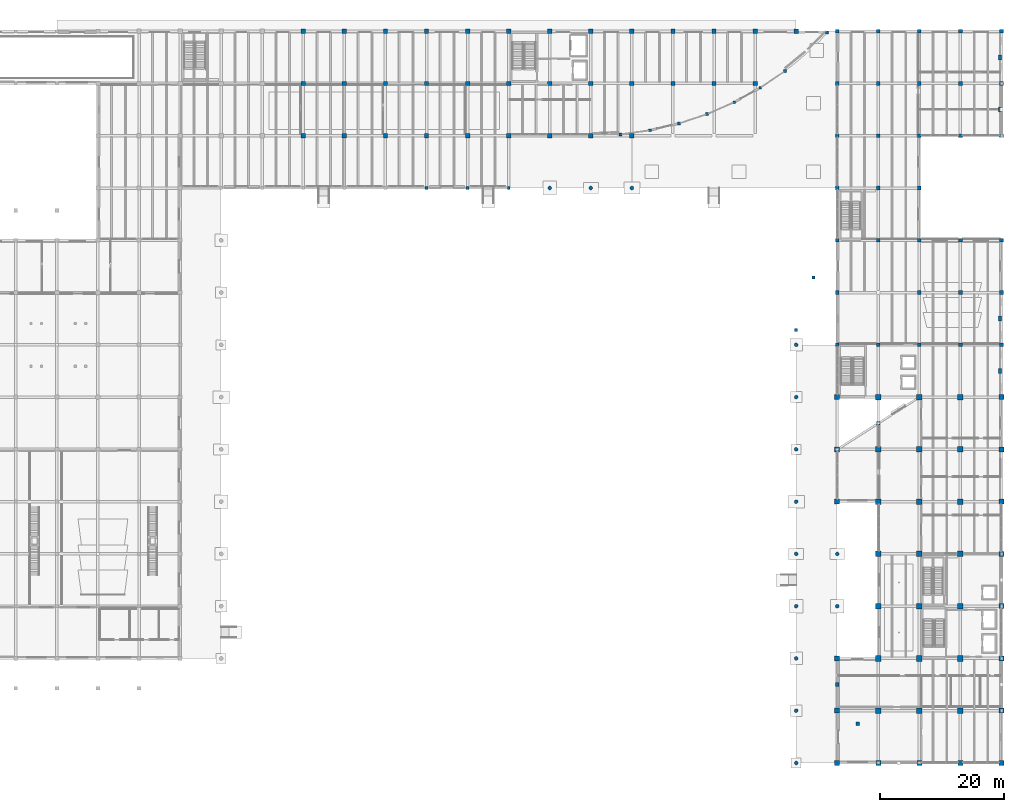
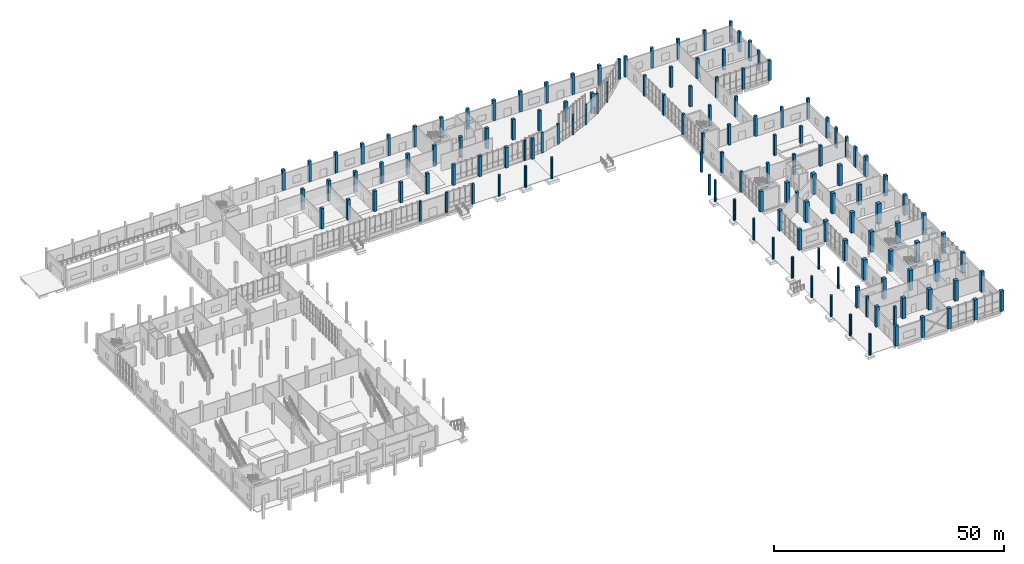
# One storey, part 3 of 64: 138 columns.
"""IFC4 building model written with IfcOpenShell, lengths in metres."""

from ifc_helpers import new_model, si_unit, direction, frame, origin, origin_2d, place, context, subcontext, project, spatial, rectangle, circle, extrude, material, material_profile, profile_set, type_object, element, save


model = new_model("IFC4")

# Units and contexts
model_context = context("Model", 3, precision=1e-05, world=origin(), true_north=direction((0.0, 1.0)))
body_context = subcontext(model_context, "Body", "Model", "MODEL_VIEW")
ifc_project = project(units=[si_unit("LENGTHUNIT", "METRE"), si_unit("AREAUNIT", "SQUARE_METRE"), si_unit("VOLUMEUNIT", "CUBIC_METRE"), si_unit("PLANEANGLEUNIT", "RADIAN"), si_unit("MASSUNIT", "GRAM", prefix="KILO")], contexts=[model_context])

# Site, building, storey
site_placement = place(None, origin())
site = spatial("IfcSite", under=ifc_project, at=site_placement, CompositionType="ELEMENT")
building_placement = place(site_placement, origin())
building = spatial("IfcBuilding", under=site, at=building_placement, Name="Qaldarim Faculty of Natural and Applied Sciences", CompositionType="ELEMENT")
storey_placement = place(building_placement, origin())
storey = spatial("IfcBuildingStorey", under=building, at=storey_placement, Name="L00", CompositionType="ELEMENT", Elevation=0.0)

# Columns
ifc_material_1 = material(Name="Concrete C40/50", Category="concrete")
ifc_material_profile_1 = material_profile(ifc_material_1, circle(Radius=0.300048828125, at=origin_2d()), Name="RC-D600")
ifc_profile_set_1 = profile_set([ifc_material_profile_1], Name="Concrete C40/50")
column_type_1 = type_object("IfcColumnType", Name="ColonnadePier-RCD600", PredefinedType="COLUMN", material=ifc_profile_set_1)
for number, where, z_axis, x_axis, name in (
    (1, (105.60009765625, 92.39990234375, -0.199951171875), (0.0, 0.0, 1.0), (1.0, 0.0, 0.0), "Column X17/Y12 L00"),
    (2, (112.199951171875, 92.39990234375, -0.199951171875), (0.0, 0.0, 1.0), (1.0, 0.0, 0.0), "Column X18/Y12 L00"),
    (3, (118.800048828125, 92.39990234375, -0.199951171875), (0.0, 0.0, 1.0), (1.0, 0.0, 0.0), "Column X19/Y12 L00"),
    (4, (145.199951171875, 0.0, -0.199951171875), (0.0, 0.0, 1.0), (1.0, 0.0, 0.0), "Column X23/Y01 L00"),
    (5, (145.199951171875, 8.39990234375, -0.199951171875), (0.0, 0.0, 1.0), (1.0, 0.0, 0.0), "Column X23/Y02 L00"),
    (6, (145.199951171875, 16.800048828125, -0.199951171875), (0.0, 0.0, 1.0), (1.0, 0.0, 0.0), "Column X23/Y03 L00"),
    (7, (145.199951171875, 25.199951171875, -0.199951171875), (0.0, 0.0, 1.0), (1.0, 0.0, 0.0), "Column X23/Y04 L00"),
    (8, (145.199951171875, 33.60009765625, -0.199951171875), (0.0, 0.0, 1.0), (1.0, 0.0, 0.0), "Column X23/Y05 L00"),
    (9, (145.199951171875, 42.0, -0.199951171875), (0.0, 0.0, 1.0), (1.0, 0.0, 0.0), "Column X23/Y06 L00"),
    (10, (145.199951171875, 50.39990234375, -0.199951171875), (0.0, 0.0, 1.0), (1.0, 0.0, 0.0), "Column X23/Y07 L00"),
    (11, (145.199951171875, 58.800048828125, -0.199951171875), (0.0, 0.0, 1.0), (1.0, 0.0, 0.0), "Column X23/Y08 L00"),
    (12, (145.199951171875, 67.199951171875, -0.199951171875), (0.0, 0.0, 1.0), (1.0, 0.0, 0.0), "Column X23/Y09 L00"),
    (13, (151.800048828125, 25.199951171875, -0.199951171875), (0.0, 0.0, 1.0), (1.0, 0.0, 0.0), "Column X24/Y04 L00"),
    (14, (151.800048828125, 33.60009765625, -0.199951171875), (0.0, 0.0, 1.0), (1.0, 0.0, 0.0), "Column X24/Y05 L00"),
):
    element("IfcColumn", number, at=place(storey_placement, frame(where, z_axis=z_axis, x_axis=x_axis)), inside=storey, type_object=column_type_1, Name=name, PredefinedType="COLUMN", context=body_context, shape_type="SweptSolid", body=[
        extrude(circle(Radius=0.300048828125, at=origin_2d()), origin(), (0.0, 0.0, 1.0), 5.599853515625),
    ])
ifc_material_profile_2 = material_profile(ifc_material_1, rectangle(XDim=0.449951171875, YDim=0.449951171875, at=origin_2d()), Name="RC-C450x450")
ifc_profile_set_2 = profile_set([ifc_material_profile_2], Name="Concrete C40/50")
column_type_2 = type_object("IfcColumnType", Name="Column-RC450x450", PredefinedType="COLUMN", material=ifc_profile_set_2)
for number, where, z_axis, x_axis, name in (
    (15, (85.800048828125, 92.39990234375, 0.0), (0.0, 0.0, 1.0), (1.0, 0.0, 0.0), "Column X14/Y12 L00"),
    (16, (92.39990234375, 92.39990234375, 0.0), (0.0, 0.0, 1.0), (1.0, 0.0, 0.0), "Column X15/Y12 L00"),
    (17, (99.0, 92.39990234375, 0.0), (0.0, 0.0, 1.0), (1.0, 0.0, 0.0), "Column X16/Y12 L00"),
    (18, (150.14990234375, 117.375, 0.0), (0.0, 0.0, 1.0), (1.0, 0.0, 0.0), "Special structural column V4-NE L00"),
    (19, (116.97509765625, 101.02001953125, 0.0), (0.0, 0.0, 1.0), (1.0, 0.0, 0.0), "Arched portal lower column 02"),
    (20, (121.705078125, 101.675048828125, 0.0), (0.0, 0.0, 1.0), (1.0, 0.0, 0.0), "Arched portal lower column 04"),
    (21, (126.360107421875, 102.764892578125, 0.0), (0.0, 0.0, 1.0), (1.0, 0.0, 0.0), "Arched portal lower column 06"),
    (22, (130.889892578125, 104.27490234375, 0.0), (0.0, 0.0, 1.0), (1.0, 0.0, 0.0), "Arched portal lower column 08"),
    (23, (135.264892578125, 106.195068359375, 0.0), (0.0, 0.0, 1.0), (1.0, 0.0, 0.0), "Arched portal lower column 10"),
    (24, (139.445068359375, 108.510009765625, 0.0), (0.0, 0.0, 1.0), (1.0, 0.0, 0.0), "Arched portal lower column 12"),
    (25, (143.39501953125, 111.195068359375, 0.0), (0.0, 0.0, 1.0), (1.0, 0.0, 0.0), "Arched portal lower column 14"),
):
    element("IfcColumn", number, at=place(storey_placement, frame(where, z_axis=z_axis, x_axis=x_axis)), inside=storey, type_object=column_type_2, Name=name, PredefinedType="COLUMN", context=body_context, shape_type="SweptSolid", body=[
        extrude(rectangle(XDim=0.449951171875, YDim=0.449951171875, at=origin_2d()), origin(), (0.0, 0.0, 1.0), 5.39990234375),
    ])
ifc_material_2 = material(Name="Concrete C50/60", Category="concrete")
ifc_material_profile_3 = material_profile(ifc_material_2, rectangle(XDim=0.5, YDim=0.5, at=origin_2d()), Name="RC-C500x500")
ifc_profile_set_3 = profile_set([ifc_material_profile_3], Name="Concrete C50/60")
column_type_3 = type_object("IfcColumnType", Name="Column-RC500x500", PredefinedType="COLUMN", material=ifc_profile_set_3)
for number, where, z_axis, x_axis, name in (
    (26, (145.199951171875, 69.60009765625, 0.0), (0.0, 0.0, 1.0), (1.0, 0.0, 0.0), "Special structural column V3-PRW-S L00"),
    (27, (148.0, 78.0, 0.0), (0.0, 0.0, 1.0), (1.0, 0.0, 0.0), "Special structural column V3-PRW-N L00"),
):
    element("IfcColumn", number, at=place(storey_placement, frame(where, z_axis=z_axis, x_axis=x_axis)), inside=storey, type_object=column_type_3, Name=name, PredefinedType="COLUMN", context=body_context, shape_type="SweptSolid", body=[
        extrude(rectangle(XDim=0.5, YDim=0.5, at=origin_2d()), origin(), (0.0, 0.0, 1.0), 5.39990234375),
    ])
ifc_material_profile_4 = material_profile(ifc_material_2, rectangle(XDim=0.60009765625, YDim=0.60009765625, at=origin_2d()), Name="RC-C600x600")
ifc_profile_set_4 = profile_set([ifc_material_profile_4], Name="Concrete C50/60")
column_type_4 = type_object("IfcColumnType", Name="Column-RC600x600", PredefinedType="COLUMN", material=ifc_profile_set_4)
for number, where, z_axis, x_axis, name in (
    (28, (151.800048828125, 67.199951171875, 0.0), (0.0, 0.0, 1.0), (1.0, 0.0, 0.0), "Column X24/Y09 L00"),
    (29, (151.800048828125, 75.60009765625, 0.0), (0.0, 0.0, 1.0), (1.0, 0.0, 0.0), "Column X24/Y10 L00"),
    (30, (151.800048828125, 84.0, 0.0), (0.0, 0.0, 1.0), (1.0, 0.0, 0.0), "Column X24/Y11 L00"),
    (31, (151.800048828125, 92.39990234375, 0.0), (0.0, 0.0, 1.0), (1.0, 0.0, 0.0), "Column X24/Y12 L00"),
    (32, (151.800048828125, 100.800048828125, 0.0), (0.0, 0.0, 1.0), (1.0, 0.0, 0.0), "Column X24/Y13 L00"),
    (33, (151.800048828125, 109.199951171875, 0.0), (0.0, 0.0, 1.0), (1.0, 0.0, 0.0), "Column X24/Y14 L00"),
    (34, (151.800048828125, 117.60009765625, 0.0), (0.0, 0.0, 1.0), (1.0, 0.0, 0.0), "Column X24/Y15 L00"),
    (35, (158.39990234375, 67.199951171875, 0.0), (0.0, 0.0, 1.0), (1.0, 0.0, 0.0), "Column X25/Y09 L00"),
    (36, (158.39990234375, 84.0, 0.0), (0.0, 0.0, 1.0), (1.0, 0.0, 0.0), "Column X25/Y11 L00"),
    (37, (158.39990234375, 92.39990234375, 0.0), (0.0, 0.0, 1.0), (1.0, 0.0, 0.0), "Column X25/Y12 L00"),
    (38, (158.39990234375, 100.800048828125, 0.0), (0.0, 0.0, 1.0), (1.0, 0.0, 0.0), "Column X25/Y13 L00"),
    (39, (158.39990234375, 109.199951171875, 0.0), (0.0, 0.0, 1.0), (1.0, 0.0, 0.0), "Column X25/Y14 L00"),
    (40, (158.39990234375, 117.60009765625, 0.0), (0.0, 0.0, 1.0), (1.0, 0.0, 0.0), "Column X25/Y15 L00"),
    (41, (165.0, 67.199951171875, 0.0), (0.0, 0.0, 1.0), (1.0, 0.0, 0.0), "Column X26/Y09 L00"),
    (42, (165.0, 75.60009765625, 0.0), (0.0, 0.0, 1.0), (1.0, 0.0, 0.0), "Column X26/Y10 L00"),
    (43, (165.0, 84.0, 0.0), (0.0, 0.0, 1.0), (1.0, 0.0, 0.0), "Column X26/Y11 L00"),
    (44, (165.0, 92.39990234375, 0.0), (0.0, 0.0, 1.0), (1.0, 0.0, 0.0), "Column X26/Y12 L00"),
    (45, (165.0, 100.800048828125, 0.0), (0.0, 0.0, 1.0), (1.0, 0.0, 0.0), "Column X26/Y13 L00"),
    (46, (165.0, 109.199951171875, 0.0), (0.0, 0.0, 1.0), (1.0, 0.0, 0.0), "Column X26/Y14 L00"),
    (47, (165.0, 117.60009765625, 0.0), (0.0, 0.0, 1.0), (1.0, 0.0, 0.0), "Column X26/Y15 L00"),
    (48, (171.60009765625, 67.199951171875, 0.0), (0.0, 0.0, 1.0), (1.0, 0.0, 0.0), "Column X27/Y09 L00"),
    (49, (171.60009765625, 75.60009765625, 0.0), (0.0, 0.0, 1.0), (1.0, 0.0, 0.0), "Column X27/Y10 L00"),
    (50, (171.60009765625, 84.0, 0.0), (0.0, 0.0, 1.0), (1.0, 0.0, 0.0), "Column X27/Y11 L00"),
    (51, (171.60009765625, 100.800048828125, 0.0), (0.0, 0.0, 1.0), (1.0, 0.0, 0.0), "Column X27/Y13 L00"),
    (52, (171.60009765625, 109.199951171875, 0.0), (0.0, 0.0, 1.0), (1.0, 0.0, 0.0), "Column X27/Y14 L00"),
    (53, (171.60009765625, 117.60009765625, 0.0), (0.0, 0.0, 1.0), (1.0, 0.0, 0.0), "Column X27/Y15 L00"),
    (54, (178.199951171875, 67.199951171875, 0.0), (0.0, 0.0, 1.0), (1.0, 0.0, 0.0), "Column X28/Y09 L00"),
    (55, (178.199951171875, 75.60009765625, 0.0), (0.0, 0.0, 1.0), (1.0, 0.0, 0.0), "Column X28/Y10 L00"),
    (56, (178.199951171875, 84.0, 0.0), (0.0, 0.0, 1.0), (1.0, 0.0, 0.0), "Column X28/Y11 L00"),
    (57, (178.199951171875, 100.800048828125, 0.0), (0.0, 0.0, 1.0), (1.0, 0.0, 0.0), "Column X28/Y13 L00"),
    (58, (178.199951171875, 109.199951171875, 0.0), (0.0, 0.0, 1.0), (1.0, 0.0, 0.0), "Column X28/Y14 L00"),
    (59, (178.199951171875, 117.60009765625, 0.0), (0.0, 0.0, 1.0), (1.0, 0.0, 0.0), "Column X28/Y15 L00"),
    (60, (151.800048828125, 12.60009765625, 0.0), (0.0, 0.0, 1.0), (1.0, 0.0, 0.0), "Special structural column V5-SW1 L00"),
    (61, (155.10009765625, 6.300048828125, 0.0), (0.0, 0.0, 1.0), (1.0, 0.0, 0.0), "Special structural column V5-SW2 L00"),
    (62, (158.39990234375, 54.60009765625, 0.0), (0.0, 0.0, 1.0), (1.0, 0.0, 0.0), "Special structural column V5-NW6 L00"),
):
    element("IfcColumn", number, at=place(storey_placement, frame(where, z_axis=z_axis, x_axis=x_axis)), inside=storey, type_object=column_type_4, Name=name, PredefinedType="COLUMN", context=body_context, shape_type="SweptSolid", body=[
        extrude(rectangle(XDim=0.60009765625, YDim=0.60009765625, at=origin_2d()), origin(), (0.0, 0.0, 1.0), 5.39990234375),
    ])
ifc_material_profile_5 = material_profile(ifc_material_2, rectangle(XDim=0.699951171875, YDim=0.699951171875, at=origin_2d()), Name="RC-C700x700")
ifc_profile_set_5 = profile_set([ifc_material_profile_5], Name="Concrete C50/60")
column_type_5 = type_object("IfcColumnType", Name="Column-RC700x700", PredefinedType="COLUMN", material=ifc_profile_set_5)
for number, where, z_axis, x_axis, name in (
    (63, (66.0, 100.800048828125, 0.0), (0.0, 0.0, 1.0), (1.0, 0.0, 0.0), "Column X11/Y13 L00"),
    (64, (66.0, 109.199951171875, 0.0), (0.0, 0.0, 1.0), (1.0, 0.0, 0.0), "Column X11/Y14 L00"),
    (65, (66.0, 117.60009765625, 0.0), (0.0, 0.0, 1.0), (1.0, 0.0, 0.0), "Column X11/Y15 L00"),
    (66, (72.60009765625, 100.800048828125, 0.0), (0.0, 0.0, 1.0), (1.0, 0.0, 0.0), "Column X12/Y13 L00"),
    (67, (72.60009765625, 109.199951171875, 0.0), (0.0, 0.0, 1.0), (1.0, 0.0, 0.0), "Column X12/Y14 L00"),
    (68, (72.60009765625, 117.60009765625, 0.0), (0.0, 0.0, 1.0), (1.0, 0.0, 0.0), "Column X12/Y15 L00"),
    (69, (79.199951171875, 100.800048828125, 0.0), (0.0, 0.0, 1.0), (1.0, 0.0, 0.0), "Column X13/Y13 L00"),
    (70, (79.199951171875, 109.199951171875, 0.0), (0.0, 0.0, 1.0), (1.0, 0.0, 0.0), "Column X13/Y14 L00"),
    (71, (79.199951171875, 117.60009765625, 0.0), (0.0, 0.0, 1.0), (1.0, 0.0, 0.0), "Column X13/Y15 L00"),
    (72, (85.800048828125, 100.800048828125, 0.0), (0.0, 0.0, 1.0), (1.0, 0.0, 0.0), "Column X14/Y13 L00"),
    (73, (85.800048828125, 109.199951171875, 0.0), (0.0, 0.0, 1.0), (1.0, 0.0, 0.0), "Column X14/Y14 L00"),
    (74, (85.800048828125, 117.60009765625, 0.0), (0.0, 0.0, 1.0), (1.0, 0.0, 0.0), "Column X14/Y15 L00"),
    (75, (92.39990234375, 100.800048828125, 0.0), (0.0, 0.0, 1.0), (1.0, 0.0, 0.0), "Column X15/Y13 L00"),
    (76, (92.39990234375, 109.199951171875, 0.0), (0.0, 0.0, 1.0), (1.0, 0.0, 0.0), "Column X15/Y14 L00"),
    (77, (92.39990234375, 117.60009765625, 0.0), (0.0, 0.0, 1.0), (1.0, 0.0, 0.0), "Column X15/Y15 L00"),
    (78, (99.0, 100.800048828125, 0.0), (0.0, 0.0, 1.0), (1.0, 0.0, 0.0), "Column X16/Y13 L00"),
    (79, (99.0, 109.199951171875, 0.0), (0.0, 0.0, 1.0), (1.0, 0.0, 0.0), "Column X16/Y14 L00"),
    (80, (99.0, 117.60009765625, 0.0), (0.0, 0.0, 1.0), (1.0, 0.0, 0.0), "Column X16/Y15 L00"),
    (81, (105.60009765625, 100.800048828125, 0.0), (0.0, 0.0, 1.0), (1.0, 0.0, 0.0), "Column X17/Y13 L00"),
    (82, (105.60009765625, 109.199951171875, 0.0), (0.0, 0.0, 1.0), (1.0, 0.0, 0.0), "Column X17/Y14 L00"),
    (83, (105.60009765625, 117.60009765625, 0.0), (0.0, 0.0, 1.0), (1.0, 0.0, 0.0), "Column X17/Y15 L00"),
    (84, (112.199951171875, 100.800048828125, 0.0), (0.0, 0.0, 1.0), (1.0, 0.0, 0.0), "Column X18/Y13 L00"),
    (85, (112.199951171875, 109.199951171875, 0.0), (0.0, 0.0, 1.0), (1.0, 0.0, 0.0), "Column X18/Y14 L00"),
    (86, (112.199951171875, 117.60009765625, 0.0), (0.0, 0.0, 1.0), (1.0, 0.0, 0.0), "Column X18/Y15 L00"),
    (87, (118.800048828125, 100.800048828125, 0.0), (0.0, 0.0, 1.0), (1.0, 0.0, 0.0), "Column X19/Y13 L00"),
    (88, (118.800048828125, 109.199951171875, 0.0), (0.0, 0.0, 1.0), (1.0, 0.0, 0.0), "Column X19/Y14 L00"),
    (89, (118.800048828125, 117.60009765625, 0.0), (0.0, 0.0, 1.0), (1.0, 0.0, 0.0), "Column X19/Y15 L00"),
    (90, (125.39990234375, 109.199951171875, 0.0), (0.0, 0.0, 1.0), (1.0, 0.0, 0.0), "Column X20/Y14 L00"),
    (91, (125.39990234375, 117.60009765625, 0.0), (0.0, 0.0, 1.0), (1.0, 0.0, 0.0), "Column X20/Y15 L00"),
    (92, (132.0, 109.199951171875, 0.0), (0.0, 0.0, 1.0), (1.0, 0.0, 0.0), "Column X21/Y14 L00"),
    (93, (132.0, 117.60009765625, 0.0), (0.0, 0.0, 1.0), (1.0, 0.0, 0.0), "Column X21/Y15 L00"),
    (94, (138.60009765625, 109.199951171875, 0.0), (0.0, 0.0, 1.0), (1.0, 0.0, 0.0), "Column X22/Y14 L00"),
    (95, (138.60009765625, 117.60009765625, 0.0), (0.0, 0.0, 1.0), (1.0, 0.0, 0.0), "Column X22/Y15 L00"),
    (96, (145.199951171875, 117.60009765625, 0.0), (0.0, 0.0, 1.0), (1.0, 0.0, 0.0), "Column X23/Y15 L00"),
):
    element("IfcColumn", number, at=place(storey_placement, frame(where, z_axis=z_axis, x_axis=x_axis)), inside=storey, type_object=column_type_5, Name=name, PredefinedType="COLUMN", context=body_context, shape_type="SweptSolid", body=[
        extrude(rectangle(XDim=0.699951171875, YDim=0.699951171875, at=origin_2d()), origin(), (0.0, 0.0, 1.0), 5.39990234375),
    ])
ifc_material_profile_6 = material_profile(ifc_material_2, rectangle(XDim=0.800048828125, YDim=0.800048828125, at=origin_2d()), Name="RC-C800x800")
ifc_profile_set_6 = profile_set([ifc_material_profile_6], Name="Concrete C50/60")
column_type_6 = type_object("IfcColumnType", Name="Column-RC800x800", PredefinedType="COLUMN", material=ifc_profile_set_6)
for number, where, z_axis, x_axis, name in (
    (97, (151.800048828125, 0.0, 0.0), (0.0, 0.0, 1.0), (1.0, 0.0, 0.0), "Column X24/Y01 L00"),
    (98, (151.800048828125, 8.39990234375, 0.0), (0.0, 0.0, 1.0), (1.0, 0.0, 0.0), "Column X24/Y02 L00"),
    (99, (151.800048828125, 16.800048828125, 0.0), (0.0, 0.0, 1.0), (1.0, 0.0, 0.0), "Column X24/Y03 L00"),
    (100, (151.800048828125, 42.0, 0.0), (0.0, 0.0, 1.0), (1.0, 0.0, 0.0), "Column X24/Y06 L00"),
    (101, (151.800048828125, 50.39990234375, 0.0), (0.0, 0.0, 1.0), (1.0, 0.0, 0.0), "Column X24/Y07 L00"),
    (102, (151.800048828125, 58.800048828125, 0.0), (0.0, 0.0, 1.0), (1.0, 0.0, 0.0), "Column X24/Y08 L00"),
    (103, (158.39990234375, 0.0, 0.0), (0.0, 0.0, 1.0), (1.0, 0.0, 0.0), "Column X25/Y01 L00"),
    (104, (165.0, 0.0, 0.0), (0.0, 0.0, 1.0), (1.0, 0.0, 0.0), "Column X26/Y01 L00"),
    (105, (171.60009765625, 0.0, 0.0), (0.0, 0.0, 1.0), (1.0, 0.0, 0.0), "Column X27/Y01 L00"),
    (106, (178.199951171875, 0.0, 0.0), (0.0, 0.0, 1.0), (1.0, 0.0, 0.0), "Column X28/Y01 L00"),
    (107, (178.199951171875, 8.39990234375, 0.0), (0.0, 0.0, 1.0), (1.0, 0.0, 0.0), "Column X28/Y02 L00"),
    (108, (178.199951171875, 16.800048828125, 0.0), (0.0, 0.0, 1.0), (1.0, 0.0, 0.0), "Column X28/Y03 L00"),
    (109, (178.199951171875, 25.199951171875, 0.0), (0.0, 0.0, 1.0), (1.0, 0.0, 0.0), "Column X28/Y04 L00"),
    (110, (178.199951171875, 33.60009765625, 0.0), (0.0, 0.0, 1.0), (1.0, 0.0, 0.0), "Column X28/Y05 L00"),
    (111, (178.199951171875, 42.0, 0.0), (0.0, 0.0, 1.0), (1.0, 0.0, 0.0), "Column X28/Y06 L00"),
    (112, (178.199951171875, 50.39990234375, 0.0), (0.0, 0.0, 1.0), (1.0, 0.0, 0.0), "Column X28/Y07 L00"),
    (113, (178.199951171875, 58.800048828125, 0.0), (0.0, 0.0, 1.0), (1.0, 0.0, 0.0), "Column X28/Y08 L00"),
):
    element("IfcColumn", number, at=place(storey_placement, frame(where, z_axis=z_axis, x_axis=x_axis)), inside=storey, type_object=column_type_6, Name=name, PredefinedType="COLUMN", context=body_context, shape_type="SweptSolid", body=[
        extrude(rectangle(XDim=0.800048828125, YDim=0.800048828125, at=origin_2d()), origin(), (0.0, 0.0, 1.0), 5.39990234375),
    ])
ifc_material_profile_7 = material_profile(ifc_material_2, rectangle(XDim=0.89990234375, YDim=0.89990234375, at=origin_2d()), Name="RC-C900x900")
ifc_profile_set_7 = profile_set([ifc_material_profile_7], Name="Concrete C50/60")
column_type_7 = type_object("IfcColumnType", Name="Column-RC900x900", PredefinedType="COLUMN", material=ifc_profile_set_7)
for number, where, z_axis, x_axis, name in (
    (114, (158.39990234375, 8.39990234375, 0.0), (0.0, 0.0, 1.0), (1.0, 0.0, 0.0), "Column X25/Y02 L00"),
    (115, (158.39990234375, 16.800048828125, 0.0), (0.0, 0.0, 1.0), (1.0, 0.0, 0.0), "Column X25/Y03 L00"),
    (116, (158.39990234375, 25.199951171875, 0.0), (0.0, 0.0, 1.0), (1.0, 0.0, 0.0), "Column X25/Y04 L00"),
    (117, (158.39990234375, 33.60009765625, 0.0), (0.0, 0.0, 1.0), (1.0, 0.0, 0.0), "Column X25/Y05 L00"),
    (118, (158.39990234375, 42.0, 0.0), (0.0, 0.0, 1.0), (1.0, 0.0, 0.0), "Column X25/Y06 L00"),
    (119, (158.39990234375, 50.39990234375, 0.0), (0.0, 0.0, 1.0), (1.0, 0.0, 0.0), "Column X25/Y07 L00"),
    (120, (158.39990234375, 58.800048828125, 0.0), (0.0, 0.0, 1.0), (1.0, 0.0, 0.0), "Column X25/Y08 L00"),
    (121, (165.0, 8.39990234375, 0.0), (0.0, 0.0, 1.0), (1.0, 0.0, 0.0), "Column X26/Y02 L00"),
    (122, (165.0, 16.800048828125, 0.0), (0.0, 0.0, 1.0), (1.0, 0.0, 0.0), "Column X26/Y03 L00"),
    (123, (165.0, 25.199951171875, 0.0), (0.0, 0.0, 1.0), (1.0, 0.0, 0.0), "Column X26/Y04 L00"),
    (124, (165.0, 33.60009765625, 0.0), (0.0, 0.0, 1.0), (1.0, 0.0, 0.0), "Column X26/Y05 L00"),
    (125, (165.0, 42.0, 0.0), (0.0, 0.0, 1.0), (1.0, 0.0, 0.0), "Column X26/Y06 L00"),
    (126, (165.0, 50.39990234375, 0.0), (0.0, 0.0, 1.0), (1.0, 0.0, 0.0), "Column X26/Y07 L00"),
    (127, (165.0, 58.800048828125, 0.0), (0.0, 0.0, 1.0), (1.0, 0.0, 0.0), "Column X26/Y08 L00"),
    (128, (171.60009765625, 8.39990234375, 0.0), (0.0, 0.0, 1.0), (1.0, 0.0, 0.0), "Column X27/Y02 L00"),
    (129, (171.60009765625, 16.800048828125, 0.0), (0.0, 0.0, 1.0), (1.0, 0.0, 0.0), "Column X27/Y03 L00"),
    (130, (171.60009765625, 25.199951171875, 0.0), (0.0, 0.0, 1.0), (1.0, 0.0, 0.0), "Column X27/Y04 L00"),
    (131, (171.60009765625, 33.60009765625, 0.0), (0.0, 0.0, 1.0), (1.0, 0.0, 0.0), "Column X27/Y05 L00"),
    (132, (171.60009765625, 42.0, 0.0), (0.0, 0.0, 1.0), (1.0, 0.0, 0.0), "Column X27/Y06 L00"),
    (133, (171.60009765625, 50.39990234375, 0.0), (0.0, 0.0, 1.0), (1.0, 0.0, 0.0), "Column X27/Y07 L00"),
    (134, (171.60009765625, 58.800048828125, 0.0), (0.0, 0.0, 1.0), (1.0, 0.0, 0.0), "Column X27/Y08 L00"),
):
    element("IfcColumn", number, at=place(storey_placement, frame(where, z_axis=z_axis, x_axis=x_axis)), inside=storey, type_object=column_type_7, Name=name, PredefinedType="COLUMN", context=body_context, shape_type="SweptSolid", body=[
        extrude(rectangle(XDim=0.89990234375, YDim=0.89990234375, at=origin_2d()), origin(), (0.0, 0.0, 1.0), 5.39990234375),
    ])
ifc_material_profile_8 = material_profile(ifc_material_2, rectangle(XDim=0.449951171875, YDim=0.800048828125, at=origin_2d()), Name="RC-C450x800")
ifc_profile_set_8 = profile_set([ifc_material_profile_8], Name="Concrete C50/60")
column_type_8 = type_object("IfcColumnType", Name="Pilaster-RC450x800", PredefinedType="PILASTER", material=ifc_profile_set_8)
for number, where, z_axis, x_axis, name in (
    (135, (177.97509765625, 63.0, 0.0), (0.0, 0.0, 1.0), (1.0, 0.0, 0.0), "East facade pilaster L00 bay Y08"),
    (136, (177.97509765625, 71.39990234375, 0.0), (0.0, 0.0, 1.0), (1.0, 0.0, 0.0), "East facade pilaster L00 bay Y09"),
    (137, (177.97509765625, 105.0, 0.0), (0.0, 0.0, 1.0), (1.0, 0.0, 0.0), "East facade pilaster L00 bay Y13"),
    (138, (177.97509765625, 113.39990234375, 0.0), (0.0, 0.0, 1.0), (1.0, 0.0, 0.0), "East facade pilaster L00 bay Y14"),
):
    element("IfcColumn", number, at=place(storey_placement, frame(where, z_axis=z_axis, x_axis=x_axis)), inside=storey, type_object=column_type_8, Name=name, PredefinedType="PILASTER", context=body_context, shape_type="SweptSolid", body=[
        extrude(rectangle(XDim=0.449951171875, YDim=0.800048828125, at=origin_2d()), origin(), (0.0, 0.0, 1.0), 5.39990234375),
    ])

save(model, "model.ifc")
